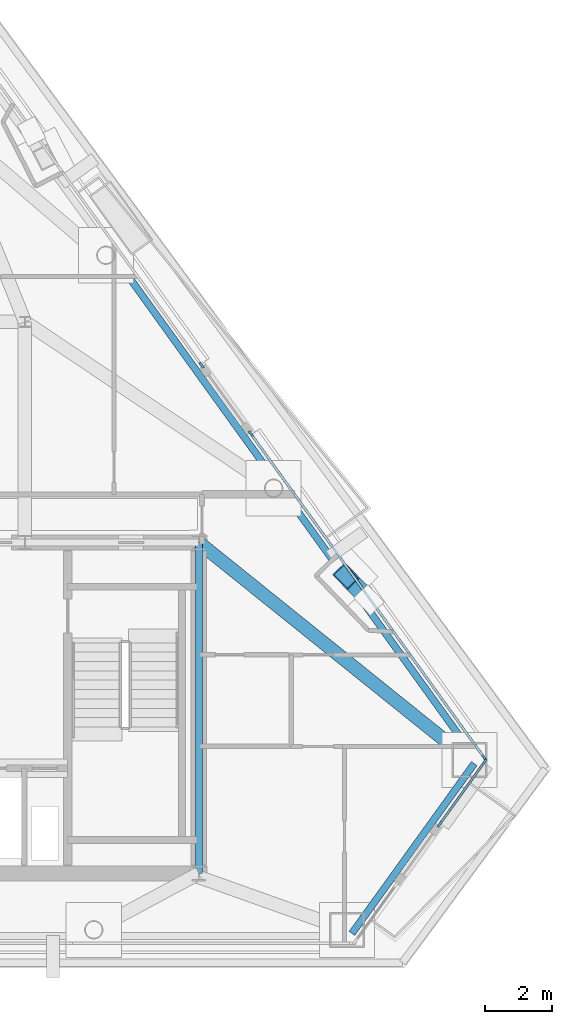
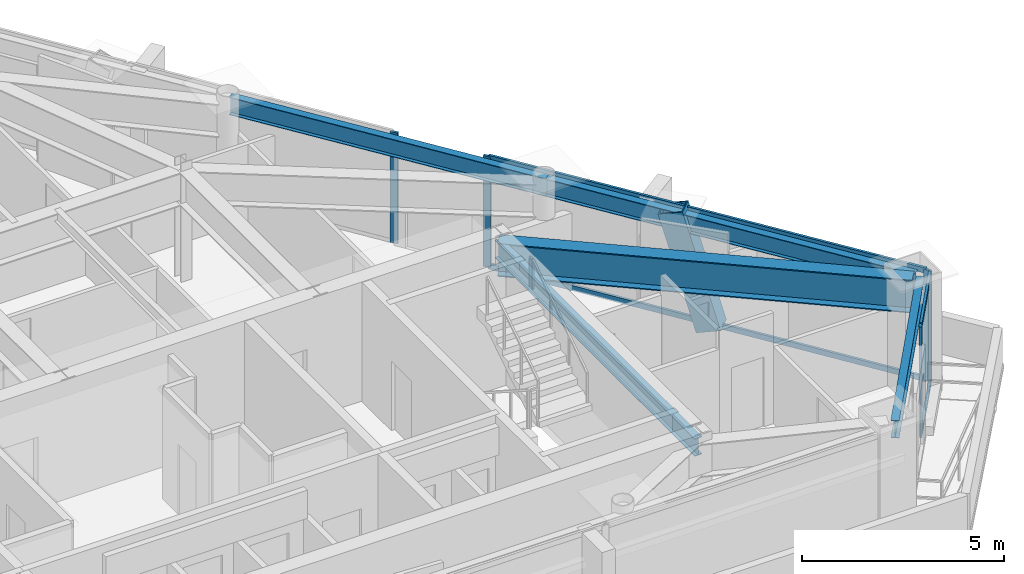
# One storey, part 5 of 11: 10 members, 5 beams, 3 elements without a shape of their own.
"""IFC4 building model written with IfcOpenShell, lengths in metres."""

from ifc_helpers import new_model, si_unit, direction, frame, origin, origin_2d, place, context, subcontext, project, spatial, rectangle, hollow_rectangle, i_section, extrude, material, layer, layer_set, material_profile, profile_set, type_object, element, aggregate, save


model = new_model("IFC4")

# Units and contexts
model_context = context("Model", 3, precision=1e-05, world=origin(), true_north=direction((0.0, 1.0)))
body_context = subcontext(model_context, "Body", "Model", "MODEL_VIEW")
ifc_project = project(units=[si_unit("LENGTHUNIT", "METRE"), si_unit("AREAUNIT", "SQUARE_METRE"), si_unit("VOLUMEUNIT", "CUBIC_METRE"), si_unit("PLANEANGLEUNIT", "RADIAN"), si_unit("MASSUNIT", "GRAM", prefix="KILO")], contexts=[model_context])

# Site, building, storey
site_placement = place(None, origin())
site = spatial("IfcSite", under=ifc_project, at=site_placement, CompositionType="ELEMENT")
building_placement = place(site_placement, origin())
building = spatial("IfcBuilding", under=site, at=building_placement, Name="Talgorran Terracotta Tower", CompositionType="ELEMENT")
storey_placement = place(building_placement, frame((0.0, 0.0, 185.699951171875)))
storey = spatial("IfcBuildingStorey", under=building, at=storey_placement, Name="L48", CompositionType="ELEMENT", Elevation=185.699951171875)

# Beams
ifc_material_1 = material(Name="Steel Grade 350 (350L0)", Category="steel")
ifc_material_profile_1 = material_profile(ifc_material_1, i_section(OverallWidth=0.39990234375, OverallDepth=1.0, WebThickness=0.01611328125, FlangeThickness=0.031005859375, at=origin_2d()), Name="1000WB296")
ifc_profile_set_1 = profile_set([ifc_material_profile_1], Name="Steel Grade 350 (350L0)")
beam_type_1 = type_object("IfcBeamType", Name="BM_1000WB296", PredefinedType="BEAM", material=ifc_profile_set_1)
beam_1_placement = place(storey_placement, frame((12.39990234375, -4.199951171875, 2.85009765625), z_axis=(0.779371168825, -0.62656251181, 0.0), x_axis=(0.62656251181, 0.779371168825, 0.0)))
element("IfcBeam", 1, at=beam_1_placement, inside=storey, type_object=beam_type_1, Name="L48 Floor Girder G18", PredefinedType="BEAM", context=body_context, shape_type="SweptSolid", body=[
    extrude(i_section(OverallWidth=0.39990234375, OverallDepth=1.0, WebThickness=0.01611328125, FlangeThickness=0.031005859375, at=origin_2d()), origin(), (0.0, 0.0, 1.0), 10.385009765625),
])
ifc_material_2 = material(Name="Steel S355 (300PLUS)", Category="steel")
ifc_material_profile_2 = material_profile(ifc_material_2, i_section(OverallWidth=0.209228515625, OverallDepth=0.532958984375, WebThickness=0.01025390625, FlangeThickness=0.015625, at=origin_2d()), Name="530UB92.4")
ifc_profile_set_2 = profile_set([ifc_material_profile_2], Name="Steel S355 (300PLUS)")
beam_type_2 = type_object("IfcBeamType", Name="BM_SP_530UB92", PredefinedType="SPANDREL", material=ifc_profile_set_2)
beam_2_placement = place(storey_placement, frame((16.982177734375, -15.890869140625, 3.08349609375), z_axis=(0.584403369452, 0.811463308951, 0.0), x_axis=(-0.811463308951, 0.584403369452, 0.0)))
element("IfcBeam", 2, at=beam_2_placement, inside=storey, type_object=beam_type_2, Name="L48 Perimeter Spandrel Beam MC3-MC4", PredefinedType="SPANDREL", context=body_context, shape_type="SweptSolid", body=[
    extrude(i_section(OverallWidth=0.209228515625, OverallDepth=0.532958984375, WebThickness=0.01025390625, FlangeThickness=0.015625, at=origin_2d()), origin(), (0.0, 0.0, 1.0), 6.2587890625),
])
beam_3_placement = place(storey_placement, frame((20.639892578125, -10.6015625, 3.08349609375), z_axis=(-0.584408080177, 0.811459916339, 0.0), x_axis=(-0.811459916339, -0.584408080177, 0.0)))
element("IfcBeam", 3, at=beam_3_placement, inside=storey, type_object=beam_type_2, Name="L48 Perimeter Spandrel Beam MC4-FC3", PredefinedType="SPANDREL", context=body_context, shape_type="SweptSolid", body=[
    extrude(i_section(OverallWidth=0.209228515625, OverallDepth=0.532958984375, WebThickness=0.01025390625, FlangeThickness=0.015625, at=origin_2d()), origin(), (0.0, 0.0, 1.0), 10.018310546875),
])
beam_4_placement = place(storey_placement, frame((14.78515625, -2.47216796875, 3.08349609375), z_axis=(-0.584426052547, 0.811446972453, 0.0), x_axis=(-0.811446972453, -0.584426052547, 0.0)))
element("IfcBeam", 4, at=beam_4_placement, inside=storey, type_object=beam_type_2, Name="L48 Perimeter Spandrel Beam FC3-FC4", PredefinedType="SPANDREL", context=body_context, shape_type="SweptSolid", body=[
    extrude(i_section(OverallWidth=0.209228515625, OverallDepth=0.532958984375, WebThickness=0.01025390625, FlangeThickness=0.015625, at=origin_2d()), origin(), (0.0, 0.0, 1.0), 8.587158203125),
])
beam_5_placement = place(storey_placement, frame((12.39990234375, -14.10009765625, 3.08349609375), z_axis=(0.0, 1.0, 0.0), x_axis=(-1.0, 0.0, 0.0)))
element("IfcBeam", 5, at=beam_5_placement, inside=storey, type_object=beam_type_2, Name="L48 Core Frame Beam CFE", PredefinedType="SPANDREL", context=body_context, shape_type="SweptSolid", body=[
    extrude(i_section(OverallWidth=0.209228515625, OverallDepth=0.532958984375, WebThickness=0.01025390625, FlangeThickness=0.015625, at=origin_2d()), origin(), (0.0, 0.0, 1.0), 9.900146484375),
])

# Member
ifc_material_profile_3 = material_profile(ifc_material_1, hollow_rectangle(XDim=0.52001953125, YDim=0.659912109375, WallThickness=0.034912109375, at=origin_2d()), Name="WBOX660X520X35")
ifc_profile_set_3 = profile_set([ifc_material_profile_3], Name="Steel Grade 350 (350L0)")
member_type_1 = type_object("IfcMemberType", Name="MB_MEGA_660", PredefinedType="BRACE", material=ifc_profile_set_3)
member_1_placement = place(storey_placement, frame((17.489013671875, -5.918701171875, -0.02490234375), z_axis=(-0.192398092856, 0.200193354417, 0.960679756585), x_axis=(-0.721004915096, -0.692929947692, 0.0)))
element("IfcMember", 6, at=member_1_placement, inside=storey, type_object=member_type_1, Name="L48 Exterior Face Mega-Brace MB-3 (NEL)", PredefinedType="BRACE", context=body_context, shape_type="SweptSolid", body=[
    extrude(hollow_rectangle(XDim=0.52001953125, YDim=0.659912109375, WallThickness=0.034912109375, at=origin_2d()), origin(), (0.0, 0.0, 1.0), 3.5390625),
])

# Curtain wall, members
ifc_material_3 = material(Name="High-Wind Unitised Glazing", Category="glass")
ifc_layer = layer(ifc_material_3, 0.2099609375, Name="CW_SYS3_RES_HIGH")
ifc_layer_set = layer_set([ifc_layer], Name="High-Wind Unitised Glazing")
curtain_wall_type = type_object("IfcCurtainWallType", Name="CW_SYS3_RES_HIGH", PredefinedType="NOTDEFINED", material=ifc_layer_set)
curtain_wall_1_placement = place(storey_placement, origin())
curtain_wall_1 = element("IfcCurtainWall", 7, at=curtain_wall_1_placement, inside=storey, type_object=curtain_wall_type, Name="CW-L48-F31", PredefinedType="NOTDEFINED")
ifc_material_4 = material(Name="Architectural Aluminium 6063-T6", Category="aluminium")
ifc_material_profile_4 = material_profile(ifc_material_4, rectangle(XDim=0.070068359375, YDim=0.199951171875, at=origin_2d()), Name="CWM70X200")
ifc_profile_set_4 = profile_set([ifc_material_profile_4], Name="Architectural Aluminium 6063-T6")
member_type_2 = type_object("IfcMemberType", Name="MUL_70X200", PredefinedType="MULLION", material=ifc_profile_set_4)
member_2_placement = place(storey_placement, frame((19.6044921875, -12.6259765625, 0.0), z_axis=(0.0, 0.0, 1.0), x_axis=(-0.811453962404, 0.584416347221, 0.0)))
member_2 = element("IfcMember", 8, at=member_2_placement, type_object=member_type_2, Name="CW-L48-31 mullion 1", PredefinedType="MULLION", context=body_context, shape_type="SweptSolid", body=[
    extrude(rectangle(XDim=0.070068359375, YDim=0.199951171875, at=origin_2d()), origin(), (0.0, 0.0, 1.0), 3.35009765625),
])
member_3_placement = place(storey_placement, frame((20.942626953125, -10.767822265625, 0.0), z_axis=(0.0, 0.0, 1.0), x_axis=(-0.811453962404, 0.584416347221, 0.0)))
member_3 = element("IfcMember", 9, at=member_3_placement, type_object=member_type_2, Name="CW-L48-31 mullion 2", PredefinedType="MULLION", context=body_context, shape_type="SweptSolid", body=[
    extrude(rectangle(XDim=0.070068359375, YDim=0.199951171875, at=origin_2d()), origin(), (0.0, 0.0, 1.0), 3.35009765625),
])

curtain_wall_2_placement = place(storey_placement, origin())
curtain_wall_2 = element("IfcCurtainWall", 10, at=curtain_wall_2_placement, inside=storey, type_object=curtain_wall_type, Name="CW-L48-F40", PredefinedType="NOTDEFINED")
member_4_placement = place(storey_placement, frame((20.942626953125, -10.64599609375, 0.0), z_axis=(0.0, 0.0, 1.0), x_axis=(-0.811461108772, -0.584406424461, 0.0)))
member_4 = element("IfcMember", 11, at=member_4_placement, type_object=member_type_2, Name="CW-L48-40 mullion 1", PredefinedType="MULLION", context=body_context, shape_type="SweptSolid", body=[
    extrude(rectangle(XDim=0.070068359375, YDim=0.199951171875, at=origin_2d()), origin(), (0.0, 0.0, 1.0), 3.35009765625),
])
member_5_placement = place(storey_placement, frame((13.9599609375, -0.949951171875, 0.0), z_axis=(0.0, 0.0, 1.0), x_axis=(-0.811461108772, -0.584406424461, 0.0)))
member_5 = element("IfcMember", 12, at=member_5_placement, type_object=member_type_2, Name="CW-L48-40 mullion 2", PredefinedType="MULLION", context=body_context, shape_type="SweptSolid", body=[
    extrude(rectangle(XDim=0.070068359375, YDim=0.199951171875, at=origin_2d()), origin(), (0.0, 0.0, 1.0), 3.35009765625),
])

# Curtain wall, member
curtain_wall_3_placement = place(storey_placement, origin())
curtain_wall_3 = element("IfcCurtainWall", 13, at=curtain_wall_3_placement, inside=storey, type_object=curtain_wall_type, Name="CW-L48-F41", PredefinedType="NOTDEFINED")
member_6_placement = place(storey_placement, frame((12.4814453125, 1.10302734375, 0.0), z_axis=(0.0, 0.0, 1.0), x_axis=(-0.811458114697, -0.584410581777, 0.0)))
member_6 = element("IfcMember", 14, at=member_6_placement, type_object=member_type_2, Name="CW-L48-41 mullion 1", PredefinedType="MULLION", context=body_context, shape_type="SweptSolid", body=[
    extrude(rectangle(XDim=0.070068359375, YDim=0.199951171875, at=origin_2d()), origin(), (0.0, 0.0, 1.0), 3.35009765625),
])
aggregate(curtain_wall_3, [member_6])

# Member
ifc_material_profile_5 = material_profile(ifc_material_4, rectangle(XDim=0.070068359375, YDim=0.159912109375, at=origin_2d()), Name="CWT70X160")
ifc_profile_set_5 = profile_set([ifc_material_profile_5], Name="Architectural Aluminium 6063-T6")
member_type_3 = type_object("IfcMemberType", Name="TRN_70X160", PredefinedType="USERDEFINED", material=ifc_profile_set_5)
member_7_placement = place(storey_placement, frame((19.625, -12.597412109375, 0.03515625), z_axis=(0.584437992913, 0.811438372546, 0.0), x_axis=(-0.811438372546, 0.584437992913, 0.0)))
member_7 = element("IfcMember", 15, at=member_7_placement, type_object=member_type_3, Name="CW-L48-31 transom 1.1", ObjectType="TRANSOM", PredefinedType="USERDEFINED", context=body_context, shape_type="SweptSolid", body=[
    extrude(rectangle(XDim=0.070068359375, YDim=0.159912109375, at=origin_2d()), origin(), (0.0, 0.0, 1.0), 2.2197265625),
])

member_8_placement = place(storey_placement, frame((19.625, -12.597412109375, 3.31494140625), z_axis=(0.584437992913, 0.811438372546, 0.0), x_axis=(-0.811438372546, 0.584437992913, 0.0)))
member_8 = element("IfcMember", 16, at=member_8_placement, type_object=member_type_3, Name="CW-L48-31 transom 1.2", ObjectType="TRANSOM", PredefinedType="USERDEFINED", context=body_context, shape_type="SweptSolid", body=[
    extrude(rectangle(XDim=0.070068359375, YDim=0.159912109375, at=origin_2d()), origin(), (0.0, 0.0, 1.0), 2.2197265625),
])

aggregate(curtain_wall_1, [member_2, member_3, member_7, member_8])

member_9_placement = place(storey_placement, frame((20.92236328125, -10.617431640625, 0.03515625), z_axis=(-0.584422211374, 0.811449738957, 0.0), x_axis=(-0.811449738957, -0.584422211374, 0.0)))
member_9 = element("IfcMember", 17, at=member_9_placement, type_object=member_type_3, Name="CW-L48-40 transom 1.1", ObjectType="TRANSOM", PredefinedType="USERDEFINED", context=body_context, shape_type="SweptSolid", body=[
    extrude(rectangle(XDim=0.070068359375, YDim=0.159912109375, at=origin_2d()), origin(), (0.0, 0.0, 1.0), 11.878662109375),
])

member_10_placement = place(storey_placement, frame((20.92236328125, -10.617431640625, 3.31494140625), z_axis=(-0.584422211374, 0.811449738957, 0.0), x_axis=(-0.811449738957, -0.584422211374, 0.0)))
member_10 = element("IfcMember", 18, at=member_10_placement, type_object=member_type_3, Name="CW-L48-40 transom 1.2", ObjectType="TRANSOM", PredefinedType="USERDEFINED", context=body_context, shape_type="SweptSolid", body=[
    extrude(rectangle(XDim=0.070068359375, YDim=0.159912109375, at=origin_2d()), origin(), (0.0, 0.0, 1.0), 11.878662109375),
])

aggregate(curtain_wall_2, [member_4, member_5, member_9, member_10])

save(model, "model.ifc")
